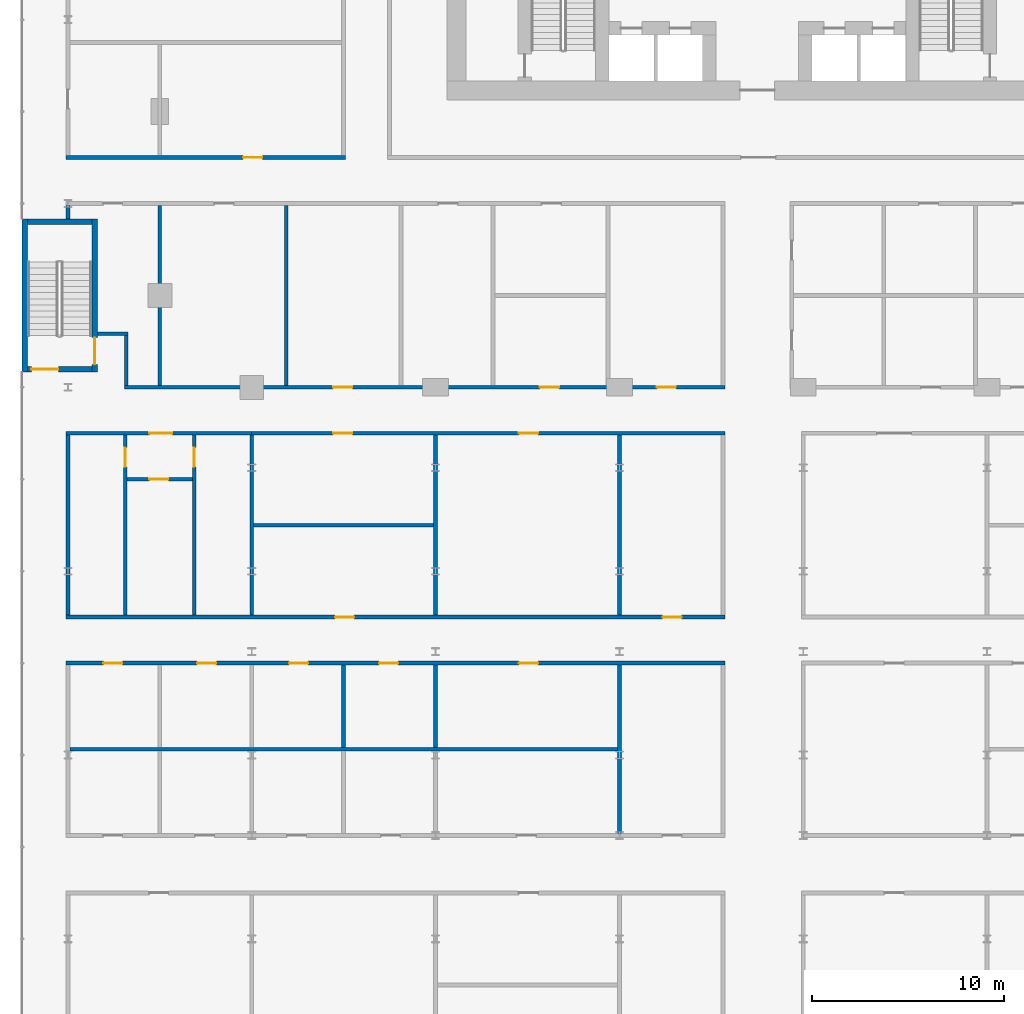
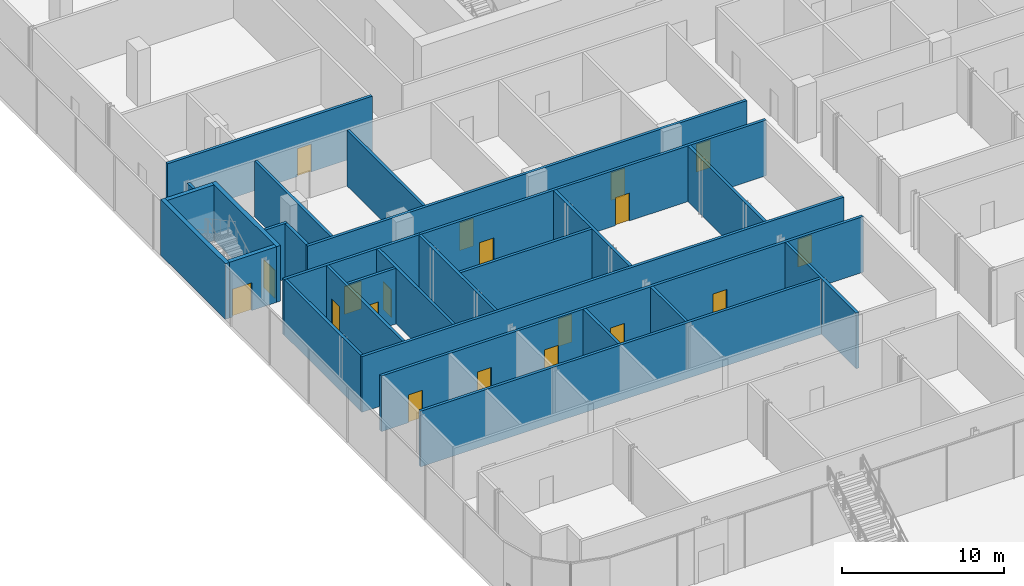
# One storey, part 32 of 45: 27 walls, 19 doors, 19 openings.
"""IFC4 building model written with IfcOpenShell, lengths in metres."""

from ifc_helpers import new_model, si_unit, direction, frame, frame_2d, origin, place, context, subcontext, project, spatial, rectangle, extrude, material, layer, layer_set, type_object, element, fill, save


model = new_model("IFC4")

# Units and contexts
model_context = context("Model", 3, precision=1e-05, world=origin(), true_north=direction((0.0, 1.0)))
body_context = subcontext(model_context, "Body", "Model", "MODEL_VIEW")
ifc_project = project(units=[si_unit("LENGTHUNIT", "METRE"), si_unit("AREAUNIT", "SQUARE_METRE"), si_unit("VOLUMEUNIT", "CUBIC_METRE"), si_unit("PLANEANGLEUNIT", "RADIAN"), si_unit("MASSUNIT", "GRAM", prefix="KILO")], contexts=[model_context])

# Site, building, storey
site_placement = place(None, origin())
site = spatial("IfcSite", under=ifc_project, at=site_placement, CompositionType="ELEMENT")
building_placement = place(site_placement, origin())
building = spatial("IfcBuilding", under=site, at=building_placement, Name="Madar Terraces", CompositionType="ELEMENT")
storey_placement = place(building_placement, frame((0.0, 0.0, 6.0)))
storey = spatial("IfcBuildingStorey", under=building, at=storey_placement, Name="L01", CompositionType="ELEMENT", Elevation=6.0)

# Wall
ifc_material_1 = material(Name="Gypsum board partition, fire-rated")
ifc_layer_1 = layer(ifc_material_1, 0.199951171875)
ifc_layer_set_1 = layer_set([ifc_layer_1], Name="Partition 200 EI 60")
wall_type_1 = type_object("IfcWallType", Name="Partition 200 EI 60", PredefinedType="PARTITIONING", material=ifc_layer_set_1)
wall_1_placement = place(storey_placement, frame((-4.699951171875, -18.89990234375, 0.0), z_axis=(0.0, 0.0, 1.0), x_axis=(1.0, 0.0, 0.0)))
element("IfcWall", 1, at=wall_1_placement, inside=storey, type_object=wall_type_1, Name="Wall CONSULTING ROOM", PredefinedType="PARTITIONING", context=body_context, shape_type="SweptSolid", body=[
    extrude(rectangle(XDim=28.599853515625, YDim=0.199951171875, at=frame_2d((14.2998046875, 0.0))), origin(), (0.0, 0.0, 1.0), 4.199951171875),
])

# Wall, openings, doors
wall_2_placement = place(storey_placement, frame((29.5, -14.39990234375, 0.0), z_axis=(0.0, 0.0, 1.0), x_axis=(-1.0, 0.0, 0.0)))
wall_2 = element("IfcWall", 2, at=wall_2_placement, inside=storey, type_object=wall_type_1, Name="Wall CONSULTING ROOM + DENTAL SURGERY", PredefinedType="PARTITIONING", context=body_context, shape_type="SweptSolid", body=[
    extrude(rectangle(XDim=34.39990234375, YDim=0.199951171875, at=frame_2d((17.199951171875, 0.0))), origin(), (0.0, 0.0, 1.0), 4.199951171875),
])
opening_1_placement = place(wall_2_placement, frame((31.449951171875, 0.0, 0.0)))
opening_1 = element("IfcOpeningElement", 3, at=opening_1_placement, cuts=wall_2, Name="Opening D31", PredefinedType="OPENING", context=body_context, shape_type="SweptSolid", body=[
    extrude(rectangle(XDim=1.0, YDim=2.10009765625, at=frame_2d((0.5, 1.050048828125))), frame((0.0, 0.10986328125, 0.0), z_axis=(0.0, -1.0, 0.0), x_axis=(1.0, 0.0, 0.0)), (0.0, 0.0, 1.0), 0.219970703125),
])
opening_2_placement = place(wall_2_placement, frame((26.550048828125, 0.0, 0.0)))
opening_2 = element("IfcOpeningElement", 4, at=opening_2_placement, cuts=wall_2, Name="Opening D31", PredefinedType="OPENING", context=body_context, shape_type="SweptSolid", body=[
    extrude(rectangle(XDim=1.0, YDim=2.10009765625, at=frame_2d((0.5, 1.050048828125))), frame((0.0, 0.10986328125, 0.0), z_axis=(0.0, -1.0, 0.0), x_axis=(1.0, 0.0, 0.0)), (0.0, 0.0, 1.0), 0.219970703125),
])
opening_3_placement = place(wall_2_placement, frame((21.75, 0.0, 0.0)))
opening_3 = element("IfcOpeningElement", 5, at=opening_3_placement, cuts=wall_2, Name="Opening D31", PredefinedType="OPENING", context=body_context, shape_type="SweptSolid", body=[
    extrude(rectangle(XDim=1.0, YDim=2.10009765625, at=frame_2d((0.5, 1.050048828125))), frame((0.0, 0.10986328125, 0.0), z_axis=(0.0, -1.0, 0.0), x_axis=(1.0, 0.0, 0.0)), (0.0, 0.0, 1.0), 0.219970703125),
])
opening_4_placement = place(wall_2_placement, frame((17.050048828125, 0.0, 0.0)))
opening_4 = element("IfcOpeningElement", 6, at=opening_4_placement, cuts=wall_2, Name="Opening D31", PredefinedType="OPENING", context=body_context, shape_type="SweptSolid", body=[
    extrude(rectangle(XDim=1.0, YDim=2.10009765625, at=frame_2d((0.5, 1.050048828125))), frame((0.0, 0.10986328125, 0.0), z_axis=(0.0, -1.0, 0.0), x_axis=(1.0, 0.0, 0.0)), (0.0, 0.0, 1.0), 0.219970703125),
])
opening_5_placement = place(wall_2_placement, frame((9.75, 0.0, 0.0)))
opening_5 = element("IfcOpeningElement", 7, at=opening_5_placement, cuts=wall_2, Name="Opening D31", PredefinedType="OPENING", context=body_context, shape_type="SweptSolid", body=[
    extrude(rectangle(XDim=1.0, YDim=2.10009765625, at=frame_2d((0.5, 1.050048828125))), frame((0.0, 0.10986328125, 0.0), z_axis=(0.0, -1.0, 0.0), x_axis=(1.0, 0.0, 0.0)), (0.0, 0.0, 1.0), 0.219970703125),
])
ifc_material_2 = material(Name="Timber door leaf, fire-rated", Category="wood")
door_type_1 = type_object("IfcDoorType", Name="Podium door 1000 x 2100 FD30S", OperationType="NOTDEFINED", PredefinedType="DOOR", material=ifc_material_2)
door_1_placement = place(opening_1_placement, origin())
door_1 = element("IfcDoor", 8, at=door_1_placement, inside=storey, type_object=door_type_1, Name="Door CONSULTING ROOM / PODIUM CORRIDOR", OperationType="SINGLE_SWING_RIGHT", OverallHeight=2.10009765625, OverallWidth=1.0, PredefinedType="DOOR", context=body_context, shape_type="SweptSolid", body=[
    extrude(rectangle(XDim=1.0, YDim=2.10009765625, at=frame_2d((0.5, 1.050048828125))), frame((0.0, 0.02490234375, 0.0), z_axis=(0.0, -1.0, 0.0), x_axis=(1.0, 0.0, 0.0)), (0.0, 0.0, 1.0), 0.050048828125),
])
fill(opening_1, door_1)
door_2_placement = place(opening_2_placement, origin())
door_2 = element("IfcDoor", 9, at=door_2_placement, inside=storey, type_object=door_type_1, Name="Door CONSULTING ROOM / PODIUM CORRIDOR", OperationType="SINGLE_SWING_LEFT", OverallHeight=2.10009765625, OverallWidth=1.0, PredefinedType="DOOR", context=body_context, shape_type="SweptSolid", body=[
    extrude(rectangle(XDim=1.0, YDim=2.10009765625, at=frame_2d((0.5, 1.050048828125))), frame((0.0, 0.02490234375, 0.0), z_axis=(0.0, -1.0, 0.0), x_axis=(1.0, 0.0, 0.0)), (0.0, 0.0, 1.0), 0.050048828125),
])
fill(opening_2, door_2)
door_3_placement = place(opening_3_placement, origin())
door_3 = element("IfcDoor", 10, at=door_3_placement, inside=storey, type_object=door_type_1, Name="Door CONSULTING ROOM / PODIUM CORRIDOR", OperationType="SINGLE_SWING_LEFT", OverallHeight=2.10009765625, OverallWidth=1.0, PredefinedType="DOOR", context=body_context, shape_type="SweptSolid", body=[
    extrude(rectangle(XDim=1.0, YDim=2.10009765625, at=frame_2d((0.5, 1.050048828125))), frame((0.0, 0.02490234375, 0.0), z_axis=(0.0, -1.0, 0.0), x_axis=(1.0, 0.0, 0.0)), (0.0, 0.0, 1.0), 0.050048828125),
])
fill(opening_3, door_3)
door_4_placement = place(opening_4_placement, origin())
door_4 = element("IfcDoor", 11, at=door_4_placement, inside=storey, type_object=door_type_1, Name="Door CONSULTING ROOM / PODIUM CORRIDOR", OperationType="SINGLE_SWING_RIGHT", OverallHeight=2.10009765625, OverallWidth=1.0, PredefinedType="DOOR", context=body_context, shape_type="SweptSolid", body=[
    extrude(rectangle(XDim=1.0, YDim=2.10009765625, at=frame_2d((0.5, 1.050048828125))), frame((0.0, 0.02490234375, 0.0), z_axis=(0.0, -1.0, 0.0), x_axis=(1.0, 0.0, 0.0)), (0.0, 0.0, 1.0), 0.050048828125),
])
fill(opening_4, door_4)
door_5_placement = place(opening_5_placement, origin())
door_5 = element("IfcDoor", 12, at=door_5_placement, inside=storey, type_object=door_type_1, Name="Door CONSULTING ROOM / PODIUM CORRIDOR", OperationType="SINGLE_SWING_LEFT", OverallHeight=2.10009765625, OverallWidth=1.0, PredefinedType="DOOR", context=body_context, shape_type="SweptSolid", body=[
    extrude(rectangle(XDim=1.0, YDim=2.10009765625, at=frame_2d((0.5, 1.050048828125))), frame((0.0, 0.02490234375, 0.0), z_axis=(0.0, -1.0, 0.0), x_axis=(1.0, 0.0, 0.0)), (0.0, 0.0, 1.0), 0.050048828125),
])
fill(opening_5, door_5)

wall_3_placement = place(storey_placement, frame((-4.89990234375, -12.0, 0.0), z_axis=(0.0, 0.0, 1.0), x_axis=(1.0, 0.0, 0.0)))
wall_3 = element("IfcWall", 13, at=wall_3_placement, inside=storey, type_object=wall_type_1, Name="Wall ACCESSIBLE WC + LINEN STORE", PredefinedType="PARTITIONING", context=body_context, shape_type="SweptSolid", body=[
    extrude(rectangle(XDim=34.39990234375, YDim=0.199951171875, at=frame_2d((17.199951171875, 0.0))), origin(), (0.0, 0.0, 1.0), 4.199951171875),
])
opening_6_placement = place(wall_3_placement, frame((14.050048828125, 0.0, 0.0)))
opening_6 = element("IfcOpeningElement", 14, at=opening_6_placement, cuts=wall_3, Name="Opening D31", PredefinedType="OPENING", context=body_context, shape_type="SweptSolid", body=[
    extrude(rectangle(XDim=1.0, YDim=2.10009765625, at=frame_2d((0.5, 1.050048828125))), frame((0.0, 0.10986328125, 0.0), z_axis=(0.0, -1.0, 0.0), x_axis=(1.0, 0.0, 0.0)), (0.0, 0.0, 1.0), 0.219970703125),
])
opening_7_placement = place(wall_3_placement, frame((31.14990234375, 0.0, 0.0)))
opening_7 = element("IfcOpeningElement", 15, at=opening_7_placement, cuts=wall_3, Name="Opening D31", PredefinedType="OPENING", context=body_context, shape_type="SweptSolid", body=[
    extrude(rectangle(XDim=1.0, YDim=2.10009765625, at=frame_2d((0.5, 1.050048828125))), frame((0.0, 0.10986328125, 0.0), z_axis=(0.0, -1.0, 0.0), x_axis=(1.0, 0.0, 0.0)), (0.0, 0.0, 1.0), 0.219970703125),
])
door_6_placement = place(opening_6_placement, origin())
door_6 = element("IfcDoor", 16, at=door_6_placement, inside=storey, type_object=door_type_1, Name="Door LINEN STORE / PODIUM CORRIDOR", OperationType="SINGLE_SWING_RIGHT", OverallHeight=2.10009765625, OverallWidth=1.0, PredefinedType="DOOR", context=body_context, shape_type="SweptSolid", body=[
    extrude(rectangle(XDim=1.0, YDim=2.10009765625, at=frame_2d((0.5, 1.050048828125))), frame((0.0, 0.02490234375, 0.0), z_axis=(0.0, -1.0, 0.0), x_axis=(1.0, 0.0, 0.0)), (0.0, 0.0, 1.0), 0.050048828125),
])
fill(opening_6, door_6)
door_7_placement = place(opening_7_placement, origin())
door_7 = element("IfcDoor", 17, at=door_7_placement, inside=storey, type_object=door_type_1, Name="Door TREATMENT ROOM / PODIUM CORRIDOR", OperationType="SINGLE_SWING_RIGHT", OverallHeight=2.10009765625, OverallWidth=1.0, PredefinedType="DOOR", context=body_context, shape_type="SweptSolid", body=[
    extrude(rectangle(XDim=1.0, YDim=2.10009765625, at=frame_2d((0.5, 1.050048828125))), frame((0.0, 0.02490234375, 0.0), z_axis=(0.0, -1.0, 0.0), x_axis=(1.0, 0.0, 0.0)), (0.0, 0.0, 1.0), 0.050048828125),
])
fill(opening_7, door_7)

# Wall
wall_4_placement = place(storey_placement, frame((4.89990234375, -7.199951171875, 0.0), z_axis=(0.0, 0.0, 1.0), x_axis=(1.0, 0.0, 0.0)))
element("IfcWall", 18, at=wall_4_placement, inside=storey, type_object=wall_type_1, Name="Wall PATIENT STORE / LINEN STORE", PredefinedType="PARTITIONING", context=body_context, shape_type="SweptSolid", body=[
    extrude(rectangle(XDim=9.400146484375, YDim=0.199951171875, at=frame_2d((4.7001953125, 0.0))), origin(), (0.0, 0.0, 1.0), 4.199951171875),
])

# Wall, opening, door
wall_5_placement = place(storey_placement, frame((1.699951171875, -4.800048828125, 0.0), z_axis=(0.0, 0.0, 1.0), x_axis=(-1.0, 0.0, 0.0)))
wall_5 = element("IfcWall", 19, at=wall_5_placement, inside=storey, type_object=wall_type_1, Name="Wall WC LOBBY / ACCESSIBLE WC", PredefinedType="PARTITIONING", context=body_context, shape_type="SweptSolid", body=[
    extrude(rectangle(XDim=3.39990234375, YDim=0.199951171875, at=frame_2d((1.699951171875, 0.0))), origin(), (0.0, 0.0, 1.0), 4.199951171875),
])
opening_8_placement = place(wall_5_placement, frame((1.25, 0.0, 0.0)))
opening_8 = element("IfcOpeningElement", 20, at=opening_8_placement, cuts=wall_5, Name="Opening D31", PredefinedType="OPENING", context=body_context, shape_type="SweptSolid", body=[
    extrude(rectangle(XDim=1.0, YDim=2.10009765625, at=frame_2d((0.5, 1.050048828125))), frame((0.0, 0.10986328125, 0.0), z_axis=(0.0, -1.0, 0.0), x_axis=(1.0, 0.0, 0.0)), (0.0, 0.0, 1.0), 0.219970703125),
])
door_8_placement = place(opening_8_placement, origin())
door_8 = element("IfcDoor", 21, at=door_8_placement, inside=storey, type_object=door_type_1, Name="Door WC LOBBY / ACCESSIBLE WC", OperationType="SINGLE_SWING_RIGHT", OverallHeight=2.10009765625, OverallWidth=1.0, PredefinedType="DOOR", context=body_context, shape_type="SweptSolid", body=[
    extrude(rectangle(XDim=1.0, YDim=2.10009765625, at=frame_2d((0.5, 1.050048828125))), frame((0.0, 0.02490234375, 0.0), z_axis=(0.0, -1.0, 0.0), x_axis=(1.0, 0.0, 0.0)), (0.0, 0.0, 1.0), 0.050048828125),
])
fill(opening_8, door_8)

wall_6_placement = place(storey_placement, frame((-4.89990234375, -2.39990234375, 0.0), z_axis=(0.0, 0.0, 1.0), x_axis=(1.0, 0.0, 0.0)))
wall_6 = element("IfcWall", 22, at=wall_6_placement, inside=storey, type_object=wall_type_1, Name="Wall WC LOBBY + WC MEN", PredefinedType="PARTITIONING", context=body_context, shape_type="SweptSolid", body=[
    extrude(rectangle(XDim=9.699951171875, YDim=0.199951171875, at=frame_2d((4.85009765625, 0.0))), origin(), (0.0, 0.0, 1.0), 4.199951171875),
])
opening_9_placement = place(wall_6_placement, frame((4.35009765625, 0.0, 0.0)))
opening_9 = element("IfcOpeningElement", 23, at=opening_9_placement, cuts=wall_6, Name="Opening D32", PredefinedType="OPENING", context=body_context, shape_type="SweptSolid", body=[
    extrude(rectangle(XDim=1.199951171875, YDim=2.10009765625, at=frame_2d((0.60009765625, 1.050048828125))), frame((0.0, 0.10986328125, 0.0), z_axis=(0.0, -1.0, 0.0), x_axis=(1.0, 0.0, 0.0)), (0.0, 0.0, 1.0), 0.219970703125),
])
ifc_material_3 = material(Name="Timber door leaf, fire-rated", Category="wood")
door_type_2 = type_object("IfcDoorType", Name="Podium door 1200 x 2100 FD30S", OperationType="NOTDEFINED", PredefinedType="DOOR", material=ifc_material_3)
door_9_placement = place(opening_9_placement, origin())
door_9 = element("IfcDoor", 24, at=door_9_placement, inside=storey, type_object=door_type_2, Name="Door WC LOBBY / PODIUM CORRIDOR", OperationType="SINGLE_SWING_RIGHT", OverallHeight=2.10009765625, OverallWidth=1.199951171875, PredefinedType="DOOR", context=body_context, shape_type="SweptSolid", body=[
    extrude(rectangle(XDim=1.199951171875, YDim=2.10009765625, at=frame_2d((0.60009765625, 1.050048828125))), frame((0.0, 0.02490234375, 0.0), z_axis=(0.0, -1.0, 0.0), x_axis=(1.0, 0.0, 0.0)), (0.0, 0.0, 1.0), 0.050048828125),
])
fill(opening_9, door_9)

# Wall, openings, doors
wall_7_placement = place(storey_placement, frame((29.5, -2.39990234375, 0.0), z_axis=(0.0, 0.0, 1.0), x_axis=(-1.0, 0.0, 0.0)))
wall_7 = element("IfcWall", 25, at=wall_7_placement, inside=storey, type_object=wall_type_1, Name="Wall PATIENT STORE + PHYSIOTHERAPY ROOM", PredefinedType="PARTITIONING", context=body_context, shape_type="SweptSolid", body=[
    extrude(rectangle(XDim=24.699951171875, YDim=0.199951171875, at=frame_2d((12.35009765625, 0.0))), origin(), (0.0, 0.0, 1.0), 4.199951171875),
])
opening_10_placement = place(wall_7_placement, frame((19.449951171875, 0.0, 0.0)))
opening_10 = element("IfcOpeningElement", 26, at=opening_10_placement, cuts=wall_7, Name="Opening D31", PredefinedType="OPENING", context=body_context, shape_type="SweptSolid", body=[
    extrude(rectangle(XDim=1.0, YDim=2.10009765625, at=frame_2d((0.5, 1.050048828125))), frame((0.0, 0.10986328125, 0.0), z_axis=(0.0, -1.0, 0.0), x_axis=(1.0, 0.0, 0.0)), (0.0, 0.0, 1.0), 0.219970703125),
])
opening_11_placement = place(wall_7_placement, frame((9.75, 0.0, 0.0)))
opening_11 = element("IfcOpeningElement", 27, at=opening_11_placement, cuts=wall_7, Name="Opening D31", PredefinedType="OPENING", context=body_context, shape_type="SweptSolid", body=[
    extrude(rectangle(XDim=1.0, YDim=2.10009765625, at=frame_2d((0.5, 1.050048828125))), frame((0.0, 0.10986328125, 0.0), z_axis=(0.0, -1.0, 0.0), x_axis=(1.0, 0.0, 0.0)), (0.0, 0.0, 1.0), 0.219970703125),
])
door_10_placement = place(opening_10_placement, origin())
door_10 = element("IfcDoor", 28, at=door_10_placement, inside=storey, type_object=door_type_1, Name="Door PATIENT STORE / PODIUM CORRIDOR", OperationType="SINGLE_SWING_RIGHT", OverallHeight=2.10009765625, OverallWidth=1.0, PredefinedType="DOOR", context=body_context, shape_type="SweptSolid", body=[
    extrude(rectangle(XDim=1.0, YDim=2.10009765625, at=frame_2d((0.5, 1.050048828125))), frame((0.0, 0.02490234375, 0.0), z_axis=(0.0, -1.0, 0.0), x_axis=(1.0, 0.0, 0.0)), (0.0, 0.0, 1.0), 0.050048828125),
])
fill(opening_10, door_10)
door_11_placement = place(opening_11_placement, origin())
door_11 = element("IfcDoor", 29, at=door_11_placement, inside=storey, type_object=door_type_1, Name="Door PHYSIOTHERAPY ROOM / PODIUM CORRIDOR", OperationType="SINGLE_SWING_LEFT", OverallHeight=2.10009765625, OverallWidth=1.0, PredefinedType="DOOR", context=body_context, shape_type="SweptSolid", body=[
    extrude(rectangle(XDim=1.0, YDim=2.10009765625, at=frame_2d((0.5, 1.050048828125))), frame((0.0, 0.02490234375, 0.0), z_axis=(0.0, -1.0, 0.0), x_axis=(1.0, 0.0, 0.0)), (0.0, 0.0, 1.0), 0.050048828125),
])
fill(opening_11, door_11)

wall_8_placement = place(storey_placement, frame((-1.85009765625, 0.0, 0.0), z_axis=(0.0, 0.0, 1.0), x_axis=(1.0, 0.0, 0.0)))
wall_8 = element("IfcWall", 30, at=wall_8_placement, inside=storey, type_object=wall_type_1, Name="Wall CHILDRENS WAITING AREA + DIRTY UTILITY", PredefinedType="PARTITIONING", context=body_context, shape_type="SweptSolid", body=[
    extrude(rectangle(XDim=31.35009765625, YDim=0.199951171875, at=frame_2d((15.675048828125, 0.0))), origin(), (0.0, 0.0, 1.0), 4.199951171875),
])
opening_12_placement = place(wall_8_placement, frame((10.89990234375, 0.0, 0.0)))
opening_12 = element("IfcOpeningElement", 31, at=opening_12_placement, cuts=wall_8, Name="Opening D31", PredefinedType="OPENING", context=body_context, shape_type="SweptSolid", body=[
    extrude(rectangle(XDim=1.0, YDim=2.10009765625, at=frame_2d((0.5, 1.050048828125))), frame((0.0, 0.10986328125, 0.0), z_axis=(0.0, -1.0, 0.0), x_axis=(1.0, 0.0, 0.0)), (0.0, 0.0, 1.0), 0.219970703125),
])
opening_13_placement = place(wall_8_placement, frame((21.699951171875, 0.0, 0.0)))
opening_13 = element("IfcOpeningElement", 32, at=opening_13_placement, cuts=wall_8, Name="Opening D31", PredefinedType="OPENING", context=body_context, shape_type="SweptSolid", body=[
    extrude(rectangle(XDim=1.0, YDim=2.10009765625, at=frame_2d((0.5, 1.050048828125))), frame((0.0, 0.10986328125, 0.0), z_axis=(0.0, -1.0, 0.0), x_axis=(1.0, 0.0, 0.0)), (0.0, 0.0, 1.0), 0.219970703125),
])
opening_14_placement = place(wall_8_placement, frame((27.800048828125, 0.0, 0.0)))
opening_14 = element("IfcOpeningElement", 33, at=opening_14_placement, cuts=wall_8, Name="Opening D31", PredefinedType="OPENING", context=body_context, shape_type="SweptSolid", body=[
    extrude(rectangle(XDim=1.0, YDim=2.10009765625, at=frame_2d((0.5, 1.050048828125))), frame((0.0, 0.10986328125, 0.0), z_axis=(0.0, -1.0, 0.0), x_axis=(1.0, 0.0, 0.0)), (0.0, 0.0, 1.0), 0.219970703125),
])
door_12_placement = place(opening_12_placement, origin())
door_12 = element("IfcDoor", 34, at=door_12_placement, inside=storey, type_object=door_type_1, Name="Door RECEPTION / PODIUM CORRIDOR", OperationType="SINGLE_SWING_LEFT", OverallHeight=2.10009765625, OverallWidth=1.0, PredefinedType="DOOR", context=body_context, shape_type="SweptSolid", body=[
    extrude(rectangle(XDim=1.0, YDim=2.10009765625, at=frame_2d((0.5, 1.050048828125))), frame((0.0, 0.02490234375, 0.0), z_axis=(0.0, -1.0, 0.0), x_axis=(1.0, 0.0, 0.0)), (0.0, 0.0, 1.0), 0.050048828125),
])
fill(opening_12, door_12)
door_13_placement = place(opening_13_placement, origin())
door_13 = element("IfcDoor", 35, at=door_13_placement, inside=storey, type_object=door_type_1, Name="Door DIRTY UTILITY / PODIUM CORRIDOR", OperationType="SINGLE_SWING_LEFT", OverallHeight=2.10009765625, OverallWidth=1.0, PredefinedType="DOOR", context=body_context, shape_type="SweptSolid", body=[
    extrude(rectangle(XDim=1.0, YDim=2.10009765625, at=frame_2d((0.5, 1.050048828125))), frame((0.0, 0.02490234375, 0.0), z_axis=(0.0, -1.0, 0.0), x_axis=(1.0, 0.0, 0.0)), (0.0, 0.0, 1.0), 0.050048828125),
])
fill(opening_13, door_13)
door_14_placement = place(opening_14_placement, origin())
door_14 = element("IfcDoor", 36, at=door_14_placement, inside=storey, type_object=door_type_1, Name="Door STAFF ROOM / PODIUM CORRIDOR", OperationType="SINGLE_SWING_RIGHT", OverallHeight=2.10009765625, OverallWidth=1.0, PredefinedType="DOOR", context=body_context, shape_type="SweptSolid", body=[
    extrude(rectangle(XDim=1.0, YDim=2.10009765625, at=frame_2d((0.5, 1.050048828125))), frame((0.0, 0.02490234375, 0.0), z_axis=(0.0, -1.0, 0.0), x_axis=(1.0, 0.0, 0.0)), (0.0, 0.0, 1.0), 0.050048828125),
])
fill(opening_14, door_14)

# Wall
wall_9_placement = place(storey_placement, frame((-3.25, 2.800048828125, 0.0), z_axis=(0.0, 0.0, 1.0), x_axis=(1.0, 0.0, 0.0)))
element("IfcWall", 37, at=wall_9_placement, inside=storey, type_object=wall_type_1, Name="Wall WAITING AREA / PODIUM CORRIDOR", PredefinedType="PARTITIONING", context=body_context, shape_type="SweptSolid", body=[
    extrude(rectangle(XDim=1.60009765625, YDim=0.199951171875, at=frame_2d((0.800048828125, 0.0))), origin(), (0.0, 0.0, 1.0), 4.199951171875),
])

# Wall, opening, door
wall_10_placement = place(storey_placement, frame((-4.89990234375, 12.0, 0.0), z_axis=(0.0, 0.0, 1.0), x_axis=(1.0, 0.0, 0.0)))
wall_10 = element("IfcWall", 38, at=wall_10_placement, inside=storey, type_object=wall_type_1, Name="Wall ADMINISTRATION OFFICE + MEETING ROOM", PredefinedType="PARTITIONING", context=body_context, shape_type="SweptSolid", body=[
    extrude(rectangle(XDim=14.599853515625, YDim=0.199951171875, at=frame_2d((7.2998046875, 0.0))), origin(), (0.0, 0.0, 1.0), 4.199951171875),
])
opening_15_placement = place(wall_10_placement, frame((9.25, 0.0, 0.0)))
opening_15 = element("IfcOpeningElement", 39, at=opening_15_placement, cuts=wall_10, Name="Opening D31", PredefinedType="OPENING", context=body_context, shape_type="SweptSolid", body=[
    extrude(rectangle(XDim=1.0, YDim=2.10009765625, at=frame_2d((0.5, 1.050048828125))), frame((0.0, 0.10986328125, 0.0), z_axis=(0.0, -1.0, 0.0), x_axis=(1.0, 0.0, 0.0)), (0.0, 0.0, 1.0), 0.219970703125),
])
door_15_placement = place(opening_15_placement, origin())
door_15 = element("IfcDoor", 40, at=door_15_placement, inside=storey, type_object=door_type_1, Name="Door ADMINISTRATION OFFICE / PODIUM CORRIDOR", OperationType="SINGLE_SWING_LEFT", OverallHeight=2.10009765625, OverallWidth=1.0, PredefinedType="DOOR", context=body_context, shape_type="SweptSolid", body=[
    extrude(rectangle(XDim=1.0, YDim=2.10009765625, at=frame_2d((0.5, 1.050048828125))), frame((0.0, 0.02490234375, 0.0), z_axis=(0.0, -1.0, 0.0), x_axis=(1.0, 0.0, 0.0)), (0.0, 0.0, 1.0), 0.050048828125),
])
fill(opening_15, door_15)

# Walls
wall_11_placement = place(storey_placement, frame((-4.800048828125, -11.89990234375, 0.0), z_axis=(0.0, 0.0, 1.0), x_axis=(0.0, 1.0, 0.0)))
element("IfcWall", 41, at=wall_11_placement, inside=storey, type_object=wall_type_1, Name="Wall WC MEN / PODIUM CORRIDOR", PredefinedType="PARTITIONING", context=body_context, shape_type="SweptSolid", body=[
    extrude(rectangle(XDim=9.39990234375, YDim=0.199951171875, at=frame_2d((4.699951171875, 0.0))), origin(), (0.0, 0.0, 1.0), 4.199951171875),
])
wall_12_placement = place(storey_placement, frame((-4.800048828125, 8.800048828125, 0.0), z_axis=(0.0, 0.0, 1.0), x_axis=(0.0, 1.0, 0.0)))
element("IfcWall", 42, at=wall_12_placement, inside=storey, type_object=wall_type_1, Name="Wall WAITING AREA / PODIUM CORRIDOR", PredefinedType="PARTITIONING", context=body_context, shape_type="SweptSolid", body=[
    extrude(rectangle(XDim=0.699951171875, YDim=0.199951171875, at=frame_2d((0.35009765625, 0.0))), origin(), (0.0, 0.0, 1.0), 4.199951171875),
])

# Wall, opening, door
wall_13_placement = place(storey_placement, frame((-1.800048828125, -11.89990234375, 0.0), z_axis=(0.0, 0.0, 1.0), x_axis=(0.0, 1.0, 0.0)))
wall_13 = element("IfcWall", 43, at=wall_13_placement, inside=storey, type_object=wall_type_1, Name="Wall WC LOBBY + WC MEN", PredefinedType="PARTITIONING", context=body_context, shape_type="SweptSolid", body=[
    extrude(rectangle(XDim=9.39990234375, YDim=0.199951171875, at=frame_2d((4.699951171875, 0.0))), origin(), (0.0, 0.0, 1.0), 4.199951171875),
])
opening_16_placement = place(wall_13_placement, frame((7.75, 0.0, 0.0)))
opening_16 = element("IfcOpeningElement", 44, at=opening_16_placement, cuts=wall_13, Name="Opening D31", PredefinedType="OPENING", context=body_context, shape_type="SweptSolid", body=[
    extrude(rectangle(XDim=1.0, YDim=2.10009765625, at=frame_2d((0.5, 1.050048828125))), frame((0.0, 0.10986328125, 0.0), z_axis=(0.0, -1.0, 0.0), x_axis=(1.0, 0.0, 0.0)), (0.0, 0.0, 1.0), 0.219970703125),
])
door_16_placement = place(opening_16_placement, origin())
door_16 = element("IfcDoor", 45, at=door_16_placement, inside=storey, type_object=door_type_1, Name="Door WC LOBBY / WC MEN", OperationType="SINGLE_SWING_RIGHT", OverallHeight=2.10009765625, OverallWidth=1.0, PredefinedType="DOOR", context=body_context, shape_type="SweptSolid", body=[
    extrude(rectangle(XDim=1.0, YDim=2.10009765625, at=frame_2d((0.5, 1.050048828125))), frame((0.0, 0.02490234375, 0.0), z_axis=(0.0, -1.0, 0.0), x_axis=(1.0, 0.0, 0.0)), (0.0, 0.0, 1.0), 0.050048828125),
])
fill(opening_16, door_16)

# Walls
wall_14_placement = place(storey_placement, frame((-1.75, 0.10009765625, 0.0), z_axis=(0.0, 0.0, 1.0), x_axis=(0.0, 1.0, 0.0)))
element("IfcWall", 46, at=wall_14_placement, inside=storey, type_object=wall_type_1, Name="Wall WAITING AREA / PODIUM CORRIDOR", PredefinedType="PARTITIONING", context=body_context, shape_type="SweptSolid", body=[
    extrude(rectangle(XDim=2.599853515625, YDim=0.199951171875, at=frame_2d((1.2998046875, 0.0))), origin(), (0.0, 0.0, 1.0), 4.199951171875),
])
wall_15_placement = place(storey_placement, frame((0.0, 0.10009765625, 0.0), z_axis=(0.0, 0.0, 1.0), x_axis=(0.0, 1.0, 0.0)))
element("IfcWall", 47, at=wall_15_placement, inside=storey, type_object=wall_type_1, Name="Wall WAITING AREA / CHILDRENS WAITING AREA", PredefinedType="PARTITIONING", context=body_context, shape_type="SweptSolid", body=[
    extrude(rectangle(XDim=9.39990234375, YDim=0.199951171875, at=frame_2d((4.699951171875, 0.0))), origin(), (0.0, 0.0, 1.0), 4.199951171875),
])

# Wall, opening, door
wall_16_placement = place(storey_placement, frame((1.800048828125, -2.5, 0.0), z_axis=(0.0, 0.0, 1.0), x_axis=(0.0, -1.0, 0.0)))
wall_16 = element("IfcWall", 48, at=wall_16_placement, inside=storey, type_object=wall_type_1, Name="Wall WC LOBBY + WC WOMEN", PredefinedType="PARTITIONING", context=body_context, shape_type="SweptSolid", body=[
    extrude(rectangle(XDim=9.39990234375, YDim=0.199951171875, at=frame_2d((4.699951171875, 0.0))), origin(), (0.0, 0.0, 1.0), 4.199951171875),
])
opening_17_placement = place(wall_16_placement, frame((0.64990234375, 0.0, 0.0)))
opening_17 = element("IfcOpeningElement", 49, at=opening_17_placement, cuts=wall_16, Name="Opening D31", PredefinedType="OPENING", context=body_context, shape_type="SweptSolid", body=[
    extrude(rectangle(XDim=1.0, YDim=2.10009765625, at=frame_2d((0.5, 1.050048828125))), frame((0.0, 0.10986328125, 0.0), z_axis=(0.0, -1.0, 0.0), x_axis=(1.0, 0.0, 0.0)), (0.0, 0.0, 1.0), 0.219970703125),
])
door_17_placement = place(opening_17_placement, origin())
door_17 = element("IfcDoor", 50, at=door_17_placement, inside=storey, type_object=door_type_1, Name="Door WC LOBBY / WC WOMEN", OperationType="SINGLE_SWING_RIGHT", OverallHeight=2.10009765625, OverallWidth=1.0, PredefinedType="DOOR", context=body_context, shape_type="SweptSolid", body=[
    extrude(rectangle(XDim=1.0, YDim=2.10009765625, at=frame_2d((0.5, 1.050048828125))), frame((0.0, 0.02490234375, 0.0), z_axis=(0.0, -1.0, 0.0), x_axis=(1.0, 0.0, 0.0)), (0.0, 0.0, 1.0), 0.050048828125),
])
fill(opening_17, door_17)

# Walls
for number, where, z_axis, x_axis, name in (
    (51, (4.800048828125, -11.89990234375, 0.0), (0.0, 0.0, 1.0), (0.0, 1.0, 0.0), "Wall WC WOMEN"),
    (52, (6.60009765625, 0.10009765625, 0.0), (0.0, 0.0, 1.0), (0.0, 1.0, 0.0), "Wall CHILDRENS WAITING AREA / RECEPTION"),
):
    element("IfcWall", number, at=place(storey_placement, frame(where, z_axis=z_axis, x_axis=x_axis)), inside=storey, type_object=wall_type_1, Name=name, PredefinedType="PARTITIONING", context=body_context, shape_type="SweptSolid", body=[
        extrude(rectangle(XDim=9.39990234375, YDim=0.199951171875, at=frame_2d((4.699951171875, 0.0))), origin(), (0.0, 0.0, 1.0), 4.199951171875),
    ])
for number, where, z_axis, x_axis, name in (
    (53, (9.60009765625, -18.800048828125, 0.0), (0.0, 0.0, 1.0), (0.0, 1.0, 0.0), "Wall CONSULTING ROOM / CONSULTING ROOM"),
    (54, (14.39990234375, -18.800048828125, 0.0), (0.0, 0.0, 1.0), (0.0, 1.0, 0.0), "Wall CONSULTING ROOM / CONSULTING ROOM"),
):
    element("IfcWall", number, at=place(storey_placement, frame(where, z_axis=z_axis, x_axis=x_axis)), inside=storey, type_object=wall_type_1, Name=name, PredefinedType="PARTITIONING", context=body_context, shape_type="SweptSolid", body=[
        extrude(rectangle(XDim=4.300048828125, YDim=0.199951171875, at=frame_2d((2.14990234375, 0.0))), origin(), (0.0, 0.0, 1.0), 4.199951171875),
    ])
wall_17_placement = place(storey_placement, frame((14.39990234375, -11.89990234375, 0.0), z_axis=(0.0, 0.0, 1.0), x_axis=(0.0, 1.0, 0.0)))
element("IfcWall", 55, at=wall_17_placement, inside=storey, type_object=wall_type_1, Name="Wall LINEN STORE + PATIENT STORE", PredefinedType="PARTITIONING", context=body_context, shape_type="SweptSolid", body=[
    extrude(rectangle(XDim=9.39990234375, YDim=0.199951171875, at=frame_2d((4.699951171875, 0.0))), origin(), (0.0, 0.0, 1.0), 4.199951171875),
])
wall_18_placement = place(storey_placement, frame((24.0, -23.300048828125, 0.0), z_axis=(0.0, 0.0, 1.0), x_axis=(0.0, 1.0, 0.0)))
element("IfcWall", 56, at=wall_18_placement, inside=storey, type_object=wall_type_1, Name="Wall CONSULTING ROOM", PredefinedType="PARTITIONING", context=body_context, shape_type="SweptSolid", body=[
    extrude(rectangle(XDim=8.800048828125, YDim=0.199951171875, at=frame_2d((4.39990234375, 0.0))), origin(), (0.0, 0.0, 1.0), 4.199951171875),
])
wall_19_placement = place(storey_placement, frame((24.0, -11.89990234375, 0.0), z_axis=(0.0, 0.0, 1.0), x_axis=(0.0, 1.0, 0.0)))
element("IfcWall", 57, at=wall_19_placement, inside=storey, type_object=wall_type_1, Name="Wall PHYSIOTHERAPY ROOM / TREATMENT ROOM", PredefinedType="PARTITIONING", context=body_context, shape_type="SweptSolid", body=[
    extrude(rectangle(XDim=9.39990234375, YDim=0.199951171875, at=frame_2d((4.699951171875, 0.0))), origin(), (0.0, 0.0, 1.0), 4.199951171875),
])

# Wall, opening, door
ifc_material_4 = material(Name="Concrete C40/50", Category="concrete")
ifc_layer_2 = layer(ifc_material_4, 0.300048828125)
ifc_layer_set_2 = layer_set([ifc_layer_2], Name="Podium stair wall 300 C40/50")
wall_type_2 = type_object("IfcWallType", Name="Podium stair wall 300 C40/50", PredefinedType="SOLIDWALL", material=ifc_layer_set_2)
wall_20_placement = place(storey_placement, frame((-3.39990234375, 0.800048828125, 0.0), z_axis=(0.0, 0.0, 1.0), x_axis=(0.0, 1.0, 0.0)))
wall_20 = element("IfcWall", 58, at=wall_20_placement, inside=storey, type_object=wall_type_2, Name="PODIUM STAIR WALL", PredefinedType="SOLIDWALL", context=body_context, shape_type="SweptSolid", body=[
    extrude(rectangle(XDim=8.0, YDim=0.300048828125, at=frame_2d((4.0, 0.0))), origin(), (0.0, 0.0, 1.0), 4.199951171875),
])
opening_18_placement = place(wall_20_placement, frame((0.39990234375, 0.0, 0.0)))
opening_18 = element("IfcOpeningElement", 59, at=opening_18_placement, cuts=wall_20, Name="Opening PSD1", PredefinedType="OPENING", context=body_context, shape_type="SweptSolid", body=[
    extrude(rectangle(XDim=1.39990234375, YDim=2.10009765625, at=frame_2d((0.699951171875, 1.050048828125))), frame((0.0, 0.159912109375, 0.0), z_axis=(0.0, -1.0, 0.0), x_axis=(1.0, 0.0, 0.0)), (0.0, 0.0, 1.0), 0.320068359375),
])
ifc_material_5 = material(Name="Steel door leaf", Category="steel")
door_type_3 = type_object("IfcDoorType", Name="Podium stair door pair 1400 x 2100", OperationType="DOUBLE_DOOR_SINGLE_SWING", PredefinedType="DOOR", material=ifc_material_5)
door_18_placement = place(opening_18_placement, origin())
door_18 = element("IfcDoor", 60, at=door_18_placement, inside=storey, type_object=door_type_3, Name="STAIR DOOR", OperationType="DOUBLE_DOOR_SINGLE_SWING", OverallHeight=2.10009765625, OverallWidth=1.39990234375, PredefinedType="DOOR", context=body_context, shape_type="SweptSolid", body=[
    extrude(rectangle(XDim=1.39990234375, YDim=2.10009765625, at=frame_2d((0.699951171875, 1.050048828125))), frame((0.0, 0.02490234375, 0.0), z_axis=(0.0, -1.0, 0.0), x_axis=(1.0, 0.0, 0.0)), (0.0, 0.0, 1.0), 0.050048828125),
])
fill(opening_18, door_18)

wall_21_placement = place(storey_placement, frame((-6.89990234375, 0.949951171875, 0.0), z_axis=(0.0, 0.0, 1.0), x_axis=(1.0, 0.0, 0.0)))
wall_21 = element("IfcWall", 61, at=wall_21_placement, inside=storey, type_object=wall_type_2, Name="PODIUM STAIR WALL", PredefinedType="SOLIDWALL", context=body_context, shape_type="SweptSolid", body=[
    extrude(rectangle(XDim=3.349853515625, YDim=0.300048828125, at=frame_2d((1.6748046875, 0.0))), origin(), (0.0, 0.0, 1.0), 4.199951171875),
])
opening_19_placement = place(wall_21_placement, frame((0.199951171875, 0.0, 0.0)))
opening_19 = element("IfcOpeningElement", 62, at=opening_19_placement, cuts=wall_21, Name="Opening PSD1", PredefinedType="OPENING", context=body_context, shape_type="SweptSolid", body=[
    extrude(rectangle(XDim=1.39990234375, YDim=2.10009765625, at=frame_2d((0.699951171875, 1.050048828125))), frame((0.0, 0.159912109375, 0.0), z_axis=(0.0, -1.0, 0.0), x_axis=(1.0, 0.0, 0.0)), (0.0, 0.0, 1.0), 0.320068359375),
])
door_19_placement = place(opening_19_placement, origin())
door_19 = element("IfcDoor", 63, at=door_19_placement, inside=storey, type_object=door_type_3, Name="STAIR DOOR", OperationType="DOUBLE_DOOR_SINGLE_SWING", OverallHeight=2.10009765625, OverallWidth=1.39990234375, PredefinedType="DOOR", context=body_context, shape_type="SweptSolid", body=[
    extrude(rectangle(XDim=1.39990234375, YDim=2.10009765625, at=frame_2d((0.699951171875, 1.050048828125))), frame((0.0, 0.02490234375, 0.0), z_axis=(0.0, -1.0, 0.0), x_axis=(1.0, 0.0, 0.0)), (0.0, 0.0, 1.0), 0.050048828125),
])
fill(opening_19, door_19)

# Walls
wall_22_placement = place(storey_placement, frame((-6.89990234375, 8.64990234375, 0.0), z_axis=(0.0, 0.0, 1.0), x_axis=(1.0, 0.0, 0.0)))
element("IfcWall", 64, at=wall_22_placement, inside=storey, type_object=wall_type_2, Name="PODIUM STAIR WALL", PredefinedType="SOLIDWALL", context=body_context, shape_type="SweptSolid", body=[
    extrude(rectangle(XDim=3.349853515625, YDim=0.300048828125, at=frame_2d((1.6748046875, 0.0))), origin(), (0.0, 0.0, 1.0), 4.199951171875),
])
ifc_material_6 = material(Name="Concrete C40/50", Category="concrete")
ifc_layer_3 = layer(ifc_material_6, 0.300048828125)
ifc_layer_set_3 = layer_set([ifc_layer_3], Name="Podium stair wall 300 C40/50, external")
wall_type_3 = type_object("IfcWallType", Name="Podium stair wall 300 C40/50, external", PredefinedType="SOLIDWALL", material=ifc_layer_set_3)
wall_23_placement = place(storey_placement, frame((-7.050048828125, 0.800048828125, 0.0), z_axis=(0.0, 0.0, 1.0), x_axis=(0.0, 1.0, 0.0)))
element("IfcWall", 65, at=wall_23_placement, inside=storey, type_object=wall_type_3, Name="PODIUM STAIR WALL", PredefinedType="SOLIDWALL", context=body_context, shape_type="SweptSolid", body=[
    extrude(rectangle(XDim=8.0, YDim=0.300048828125, at=frame_2d((4.0, 0.0))), origin(), (0.0, 0.0, 1.0), 4.199951171875),
])

save(model, "model.ifc")
